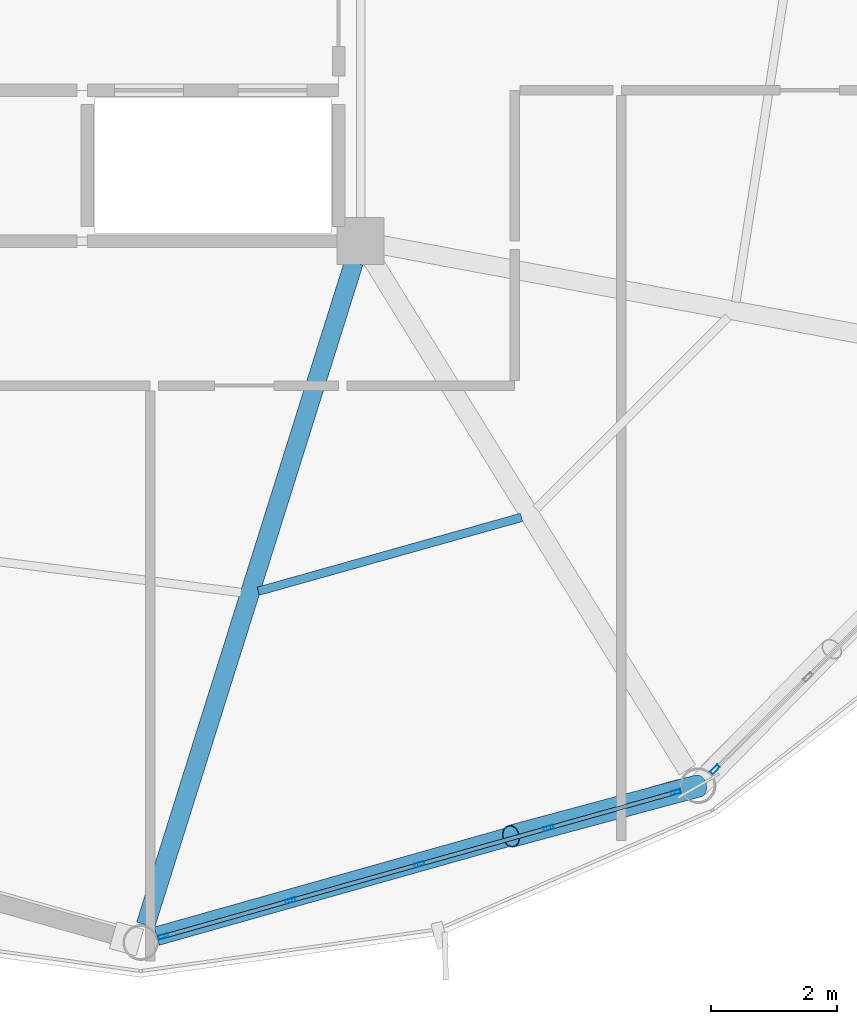
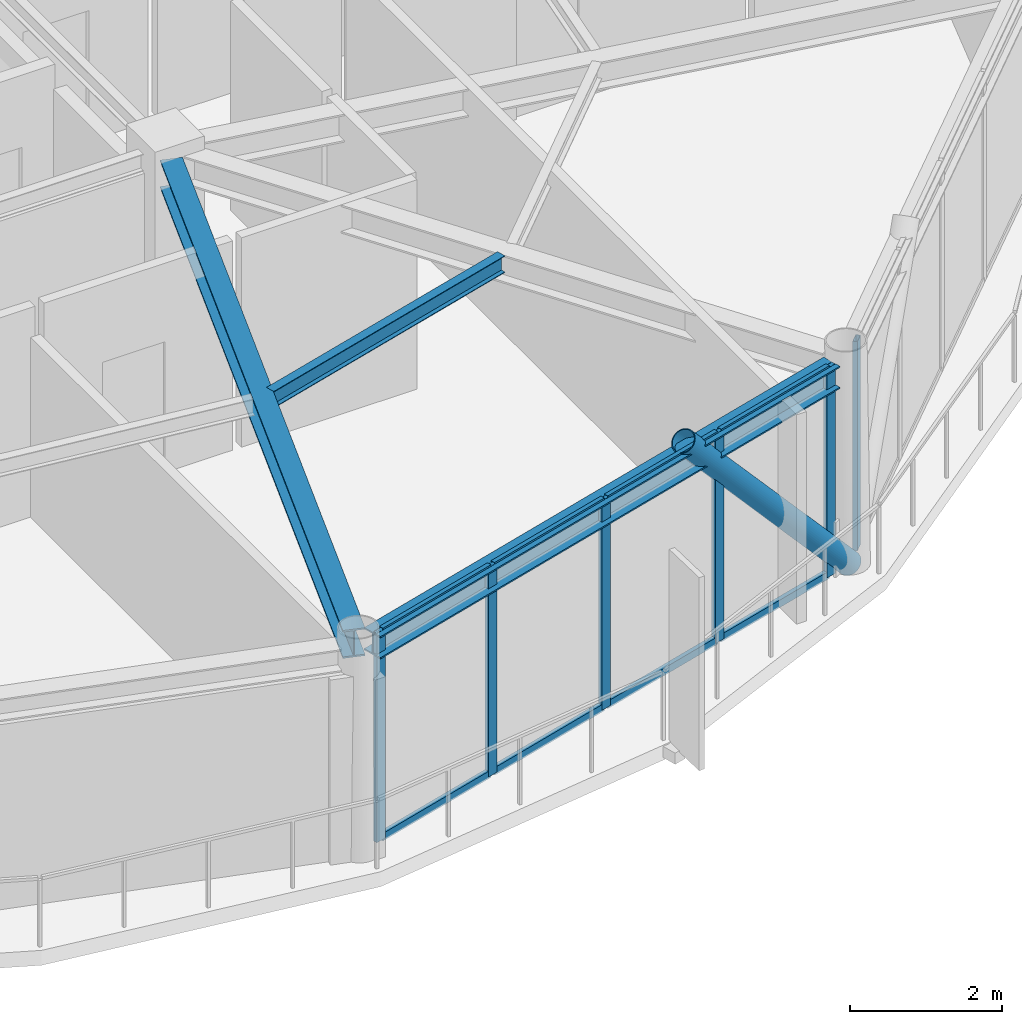
# One storey, part 6 of 24: 15 members, 3 beams, 2 elements without a shape of their own.
"""IFC4 building model written with IfcOpenShell, lengths in metres."""

from ifc_helpers import new_model, si_unit, direction, frame, origin, origin_2d, place, context, subcontext, project, spatial, hollow_rectangle, hollow_circle, i_section, extrude, material, layer, layer_set, material_profile, profile_set, type_object, element, aggregate, save


model = new_model("IFC4")

# Units and contexts
model_context = context("Model", 3, precision=1e-05, world=origin(), true_north=direction((0.0, 1.0)))
body_context = subcontext(model_context, "Body", "Model", "MODEL_VIEW")
ifc_project = project(units=[si_unit("LENGTHUNIT", "METRE"), si_unit("AREAUNIT", "SQUARE_METRE"), si_unit("VOLUMEUNIT", "CUBIC_METRE"), si_unit("PLANEANGLEUNIT", "RADIAN"), si_unit("MASSUNIT", "GRAM", prefix="KILO")], contexts=[model_context])

# Site, building, storey
site_placement = place(None, origin())
site = spatial("IfcSite", under=ifc_project, at=site_placement, CompositionType="ELEMENT")
building_placement = place(site_placement, origin())
building = spatial("IfcBuilding", under=site, at=building_placement, Name="Varnakorn Sky Granary", CompositionType="ELEMENT")
storey_placement = place(building_placement, frame((0.0, 0.0, 281.39990234375)))
storey = spatial("IfcBuildingStorey", under=building, at=storey_placement, Name="L72", CompositionType="ELEMENT", Elevation=281.39990234375)

# Beams
ifc_material_1 = material(Name="Steel S355JR", Category="steel")
ifc_material_profile_1 = material_profile(ifc_material_1, i_section(OverallWidth=0.300048828125, OverallDepth=0.449951171875, WebThickness=0.013916015625, FlangeThickness=0.02587890625, at=origin_2d()), Name="HE 450 B")
ifc_profile_set_1 = profile_set([ifc_material_profile_1], Name="Steel S355JR")
beam_type_1 = type_object("IfcBeamType", Name="BM-RAD-Z5", PredefinedType="BEAM", material=ifc_profile_set_1)
beam_1_placement = place(storey_placement, frame((8.243408203125, -6.938720703125, 3.135009765625), z_axis=(-0.299884613645, -0.953975481079, 0.0), x_axis=(0.953975481079, -0.299884613645, 0.0)))
element("IfcBeam", 1, at=beam_1_placement, inside=storey, type_object=beam_type_1, Name="Radial Floor Girder RG10 L72", PredefinedType="BEAM", context=body_context, shape_type="SweptSolid", body=[
    extrude(i_section(OverallWidth=0.300048828125, OverallDepth=0.449951171875, WebThickness=0.013916015625, FlangeThickness=0.02587890625, at=origin_2d()), origin(), (0.0, 0.0, 1.0), 11.051513671875),
])
ifc_material_profile_2 = material_profile(ifc_material_1, i_section(OverallWidth=0.135009765625, OverallDepth=0.27001953125, WebThickness=0.006591796875, FlangeThickness=0.01025390625, at=origin_2d()), Name="IPE 270")
ifc_profile_set_2 = profile_set([ifc_material_profile_2], Name="Steel S355JR")
beam_type_2 = type_object("IfcBeamType", Name="BM-SEC-Z5", PredefinedType="BEAM", material=ifc_profile_set_2)
beam_2_placement = place(storey_placement, frame((6.72119140625, -12.17236328125, 3.22509765625), z_axis=(0.962802990109, 0.270204371241, 0.0), x_axis=(-0.270204371241, 0.962802990109, 0.0)))
element("IfcBeam", 2, at=beam_2_placement, inside=storey, type_object=beam_type_2, Name="Secondary Floor Chord Beam MSB10 L72", PredefinedType="BEAM", context=body_context, shape_type="SweptSolid", body=[
    extrude(i_section(OverallWidth=0.135009765625, OverallDepth=0.27001953125, WebThickness=0.006591796875, FlangeThickness=0.01025390625, at=origin_2d()), origin(), (0.0, 0.0, 1.0), 4.3505859375),
])
ifc_material_profile_3 = material_profile(ifc_material_1, i_section(OverallWidth=0.300048828125, OverallDepth=0.360107421875, WebThickness=0.012451171875, FlangeThickness=0.0224609375, at=origin_2d()), Name="HE 360 B")
ifc_profile_set_3 = profile_set([ifc_material_profile_3], Name="Steel S355JR")
beam_type_3 = type_object("IfcBeamType", Name="BM-SPD-Z5", PredefinedType="SPANDREL", material=ifc_profile_set_3)
beam_3_placement = place(storey_placement, frame((5.1044921875, -17.662109375, 3.18017578125), z_axis=(0.962482163181, 0.271344956757, 0.0), x_axis=(-0.271344956757, 0.962482163181, 0.0)))
element("IfcBeam", 3, at=beam_3_placement, inside=storey, type_object=beam_type_3, Name="Perimeter Spandrel Ring Beam RB10 L72", PredefinedType="SPANDREL", context=body_context, shape_type="SweptSolid", body=[
    extrude(i_section(OverallWidth=0.300048828125, OverallDepth=0.360107421875, WebThickness=0.012451171875, FlangeThickness=0.0224609375, at=origin_2d()), origin(), (0.0, 0.0, 1.0), 8.6572265625),
])

# Curtain wall, members
ifc_material_2 = material(Name="Anodised Bronze Aluminium Alloy 6063-T6", Category="aluminium")
ifc_layer = layer(ifc_material_2, 0.159912109375, Name="Anodised Bronze Aluminium Alloy 6063-T6")
ifc_layer_set = layer_set([ifc_layer], Name="Anodised Bronze Aluminium Alloy 6063-T6")
curtain_wall_type = type_object("IfcCurtainWallType", Name="CW-OFF-1", PredefinedType="USERDEFINED", material=ifc_layer_set)
curtain_wall_1_placement = place(storey_placement, origin())
curtain_wall_1 = element("IfcCurtainWall", 4, at=curtain_wall_1_placement, inside=storey, type_object=curtain_wall_type, Name="Unitised Curtain Wall CW6 CW-L72-B10", ObjectType="CURTAIN WALL", PredefinedType="USERDEFINED")
ifc_material_profile_4 = material_profile(ifc_material_2, hollow_rectangle(XDim=0.06494140625, YDim=0.159912109375, WallThickness=0.00341796875, at=origin_2d()), Name="ALU MULL 65x160")
ifc_profile_set_4 = profile_set([ifc_material_profile_4], Name="Anodised Bronze Aluminium Alloy 6063-T6")
member_type_1 = type_object("IfcMemberType", Name="CW-OFF-1-MULL", PredefinedType="MULLION", material=ifc_profile_set_4)
member_1_placement = place(storey_placement, frame((13.366943359375, -15.371337890625, 0.0), z_axis=(0.0, 0.0, 1.0), x_axis=(0.270868319703, -0.962616410301, 0.0)))
member_1 = element("IfcMember", 5, at=member_1_placement, type_object=member_type_1, Name="CW6 mullion 1", PredefinedType="MULLION", context=body_context, shape_type="SweptSolid", body=[
    extrude(hollow_rectangle(XDim=0.06494140625, YDim=0.159912109375, WallThickness=0.00341796875, at=origin_2d()), origin(), (0.0, 0.0, 1.0), 3.360107421875),
])
member_2_placement = place(storey_placement, frame((11.3427734375, -15.94091796875, 0.0), z_axis=(0.0, 0.0, 1.0), x_axis=(0.270868319703, -0.962616410301, 0.0)))
member_2 = element("IfcMember", 6, at=member_2_placement, type_object=member_type_1, Name="CW6 mullion 2", PredefinedType="MULLION", context=body_context, shape_type="SweptSolid", body=[
    extrude(hollow_rectangle(XDim=0.06494140625, YDim=0.159912109375, WallThickness=0.00341796875, at=origin_2d()), origin(), (0.0, 0.0, 1.0), 3.360107421875),
])
member_3_placement = place(storey_placement, frame((9.28759765625, -16.519287109375, 0.0), z_axis=(0.0, 0.0, 1.0), x_axis=(0.270868319703, -0.962616410301, 0.0)))
member_3 = element("IfcMember", 7, at=member_3_placement, type_object=member_type_1, Name="CW6 mullion 3", PredefinedType="MULLION", context=body_context, shape_type="SweptSolid", body=[
    extrude(hollow_rectangle(XDim=0.06494140625, YDim=0.159912109375, WallThickness=0.00341796875, at=origin_2d()), origin(), (0.0, 0.0, 1.0), 3.360107421875),
])
member_4_placement = place(storey_placement, frame((7.232177734375, -17.09765625, 0.0), z_axis=(0.0, 0.0, 1.0), x_axis=(0.270868319703, -0.962616410301, 0.0)))
member_4 = element("IfcMember", 8, at=member_4_placement, type_object=member_type_1, Name="CW6 mullion 4", PredefinedType="MULLION", context=body_context, shape_type="SweptSolid", body=[
    extrude(hollow_rectangle(XDim=0.06494140625, YDim=0.159912109375, WallThickness=0.00341796875, at=origin_2d()), origin(), (0.0, 0.0, 1.0), 3.360107421875),
])
member_5_placement = place(storey_placement, frame((5.2080078125, -17.667236328125, 0.0), z_axis=(0.0, 0.0, 1.0), x_axis=(0.270868319703, -0.962616410301, 0.0)))
member_5 = element("IfcMember", 9, at=member_5_placement, type_object=member_type_1, Name="CW6 mullion 5", PredefinedType="MULLION", context=body_context, shape_type="SweptSolid", body=[
    extrude(hollow_rectangle(XDim=0.06494140625, YDim=0.159912109375, WallThickness=0.00341796875, at=origin_2d()), origin(), (0.0, 0.0, 1.0), 3.360107421875),
])

# Curtain wall, member
curtain_wall_2_placement = place(storey_placement, origin())
curtain_wall_2 = element("IfcCurtainWall", 10, at=curtain_wall_2_placement, inside=storey, type_object=curtain_wall_type, Name="Unitised Curtain Wall CW6 CW-L72-B11", ObjectType="CURTAIN WALL", PredefinedType="USERDEFINED")
member_6_placement = place(storey_placement, frame((13.989013671875, -15.00830078125, 0.0), z_axis=(0.0, 0.0, 1.0), x_axis=(0.704761759046, -0.709444052048, 0.0)))
member_6 = element("IfcMember", 11, at=member_6_placement, type_object=member_type_1, Name="CW6 mullion 5", PredefinedType="MULLION", context=body_context, shape_type="SweptSolid", body=[
    extrude(hollow_rectangle(XDim=0.06494140625, YDim=0.159912109375, WallThickness=0.00341796875, at=origin_2d()), origin(), (0.0, 0.0, 1.0), 3.360107421875),
])
aggregate(curtain_wall_2, [member_6])

# Member
ifc_material_profile_5 = material_profile(ifc_material_2, hollow_rectangle(XDim=0.06494140625, YDim=0.1201171875, WallThickness=0.00341796875, at=origin_2d()), Name="ALU TRAN 65x120")
ifc_profile_set_5 = profile_set([ifc_material_profile_5], Name="Anodised Bronze Aluminium Alloy 6063-T6")
member_type_2 = type_object("IfcMemberType", Name="CW-OFF-1-TRAN", PredefinedType="USERDEFINED", material=ifc_profile_set_5)
member_7_placement = place(storey_placement, frame((13.335693359375, -15.380126953125, 0.03271484375), z_axis=(-0.962614828152, -0.270873942309, 0.0), x_axis=(0.270873942309, -0.962614828152, 0.0)))
member_7 = element("IfcMember", 12, at=member_7_placement, type_object=member_type_2, Name="CW6 transom 1.1", ObjectType="TRANSOM", PredefinedType="USERDEFINED", context=body_context, shape_type="SweptSolid", body=[
    extrude(hollow_rectangle(XDim=0.06494140625, YDim=0.1201171875, WallThickness=0.00341796875, at=origin_2d()), origin(), (0.0, 0.0, 1.0), 2.037841796875),
])

member_8_placement = place(storey_placement, frame((13.335693359375, -15.380126953125, 3.32763671875), z_axis=(-0.962614828152, -0.270873942309, 0.0), x_axis=(0.270873942309, -0.962614828152, 0.0)))
member_8 = element("IfcMember", 13, at=member_8_placement, type_object=member_type_2, Name="CW6 transom 1.2", ObjectType="TRANSOM", PredefinedType="USERDEFINED", context=body_context, shape_type="SweptSolid", body=[
    extrude(hollow_rectangle(XDim=0.06494140625, YDim=0.1201171875, WallThickness=0.00341796875, at=origin_2d()), origin(), (0.0, 0.0, 1.0), 2.037841796875),
])

member_9_placement = place(storey_placement, frame((11.3115234375, -15.94970703125, 0.03271484375), z_axis=(-0.962606740755, -0.270902681146, 0.0), x_axis=(0.270902681146, -0.962606740755, 0.0)))
member_9 = element("IfcMember", 14, at=member_9_placement, type_object=member_type_2, Name="CW6 transom 2.1", ObjectType="TRANSOM", PredefinedType="USERDEFINED", context=body_context, shape_type="SweptSolid", body=[
    extrude(hollow_rectangle(XDim=0.06494140625, YDim=0.1201171875, WallThickness=0.00341796875, at=origin_2d()), origin(), (0.0, 0.0, 1.0), 2.070068359375),
])

member_10_placement = place(storey_placement, frame((11.3115234375, -15.94970703125, 3.32763671875), z_axis=(-0.962606740755, -0.270902681146, 0.0), x_axis=(0.270902681146, -0.962606740755, 0.0)))
member_10 = element("IfcMember", 15, at=member_10_placement, type_object=member_type_2, Name="CW6 transom 2.2", ObjectType="TRANSOM", PredefinedType="USERDEFINED", context=body_context, shape_type="SweptSolid", body=[
    extrude(hollow_rectangle(XDim=0.06494140625, YDim=0.1201171875, WallThickness=0.00341796875, at=origin_2d()), origin(), (0.0, 0.0, 1.0), 2.070068359375),
])

member_11_placement = place(storey_placement, frame((9.256103515625, -16.528076171875, 0.03271484375), z_axis=(-0.962606740755, -0.270902681146, 0.0), x_axis=(0.270902681146, -0.962606740755, 0.0)))
member_11 = element("IfcMember", 16, at=member_11_placement, type_object=member_type_2, Name="CW6 transom 3.1", ObjectType="TRANSOM", PredefinedType="USERDEFINED", context=body_context, shape_type="SweptSolid", body=[
    extrude(hollow_rectangle(XDim=0.06494140625, YDim=0.1201171875, WallThickness=0.00341796875, at=origin_2d()), origin(), (0.0, 0.0, 1.0), 2.070068359375),
])

member_12_placement = place(storey_placement, frame((9.256103515625, -16.528076171875, 3.32763671875), z_axis=(-0.962606740755, -0.270902681146, 0.0), x_axis=(0.270902681146, -0.962606740755, 0.0)))
member_12 = element("IfcMember", 17, at=member_12_placement, type_object=member_type_2, Name="CW6 transom 3.2", ObjectType="TRANSOM", PredefinedType="USERDEFINED", context=body_context, shape_type="SweptSolid", body=[
    extrude(hollow_rectangle(XDim=0.06494140625, YDim=0.1201171875, WallThickness=0.00341796875, at=origin_2d()), origin(), (0.0, 0.0, 1.0), 2.070068359375),
])

member_13_placement = place(storey_placement, frame((7.200927734375, -17.1064453125, 0.03271484375), z_axis=(-0.962614828152, -0.270873942309, 0.0), x_axis=(0.270873942309, -0.962614828152, 0.0)))
member_13 = element("IfcMember", 18, at=member_13_placement, type_object=member_type_2, Name="CW6 transom 4.1", ObjectType="TRANSOM", PredefinedType="USERDEFINED", context=body_context, shape_type="SweptSolid", body=[
    extrude(hollow_rectangle(XDim=0.06494140625, YDim=0.1201171875, WallThickness=0.00341796875, at=origin_2d()), origin(), (0.0, 0.0, 1.0), 2.037841796875),
])

member_14_placement = place(storey_placement, frame((7.200927734375, -17.1064453125, 3.32763671875), z_axis=(-0.962614828152, -0.270873942309, 0.0), x_axis=(0.270873942309, -0.962614828152, 0.0)))
member_14 = element("IfcMember", 19, at=member_14_placement, type_object=member_type_2, Name="CW6 transom 4.2", ObjectType="TRANSOM", PredefinedType="USERDEFINED", context=body_context, shape_type="SweptSolid", body=[
    extrude(hollow_rectangle(XDim=0.06494140625, YDim=0.1201171875, WallThickness=0.00341796875, at=origin_2d()), origin(), (0.0, 0.0, 1.0), 2.037841796875),
])

aggregate(curtain_wall_1, [member_1, member_2, member_3, member_4, member_5, member_7, member_8, member_9, member_10, member_11, member_12, member_13, member_14])

ifc_material_3 = material(Name="Steel S460M", Category="steel")
ifc_material_profile_6 = material_profile(ifc_material_3, hollow_circle(Radius=0.177734375, WallThickness=0.01416015625, at=origin_2d()), Name="CHS 355.6x14")
ifc_profile_set_6 = profile_set([ifc_material_profile_6], Name="Steel S460M")
member_type_3 = type_object("IfcMemberType", Name="MB-DIAG-T5", PredefinedType="BRACE", material=ifc_profile_set_6)
member_15_placement = place(storey_placement, frame((13.72509765625, -15.2705078125, 0.0), z_axis=(-0.639763102174, -0.172032292935, 0.749071467408), x_axis=(0.25967561977, -0.965695900632, 0.0)))
element("IfcMember", 20, at=member_15_placement, inside=storey, type_object=member_type_3, Name="Perimeter CHS Diagrid Brace DG10 L72", PredefinedType="BRACE", context=body_context, shape_type="SweptSolid", body=[
    extrude(hollow_circle(Radius=0.177734375, WallThickness=0.01416015625, at=origin_2d()), origin(), (0.0, 0.0, 1.0), 4.6591796875),
])

save(model, "model.ifc")
